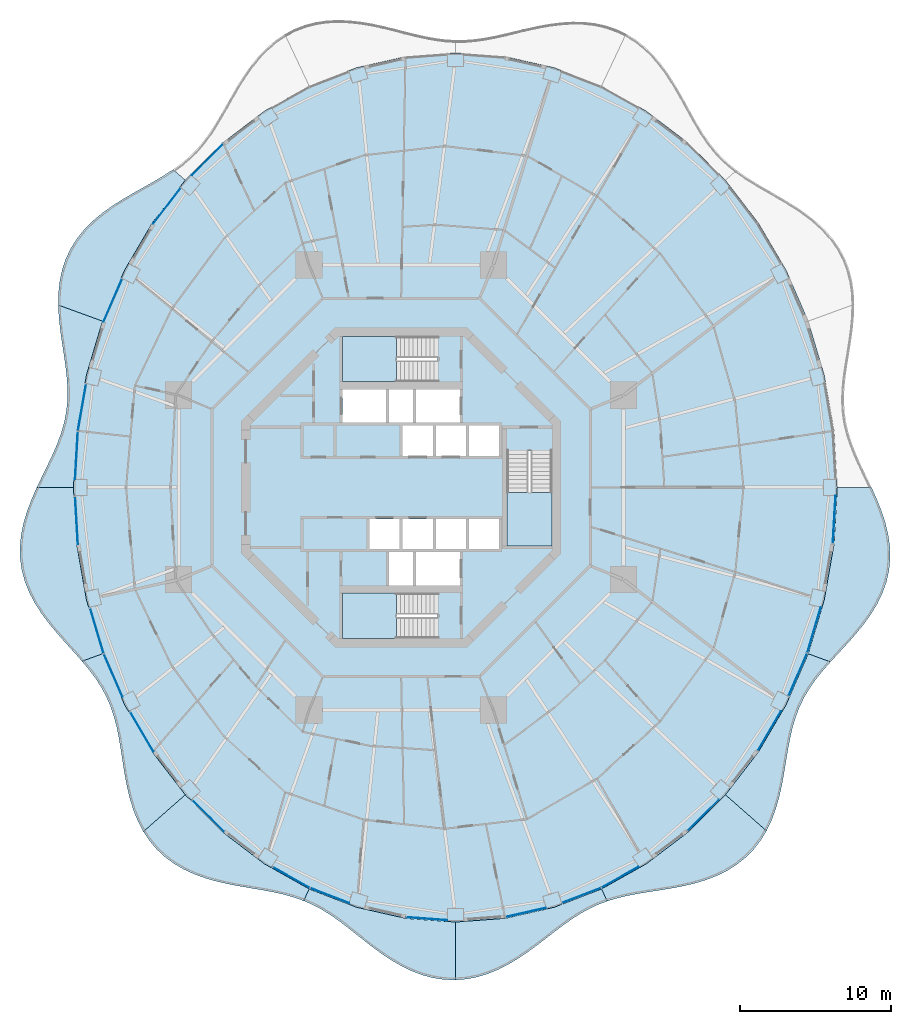
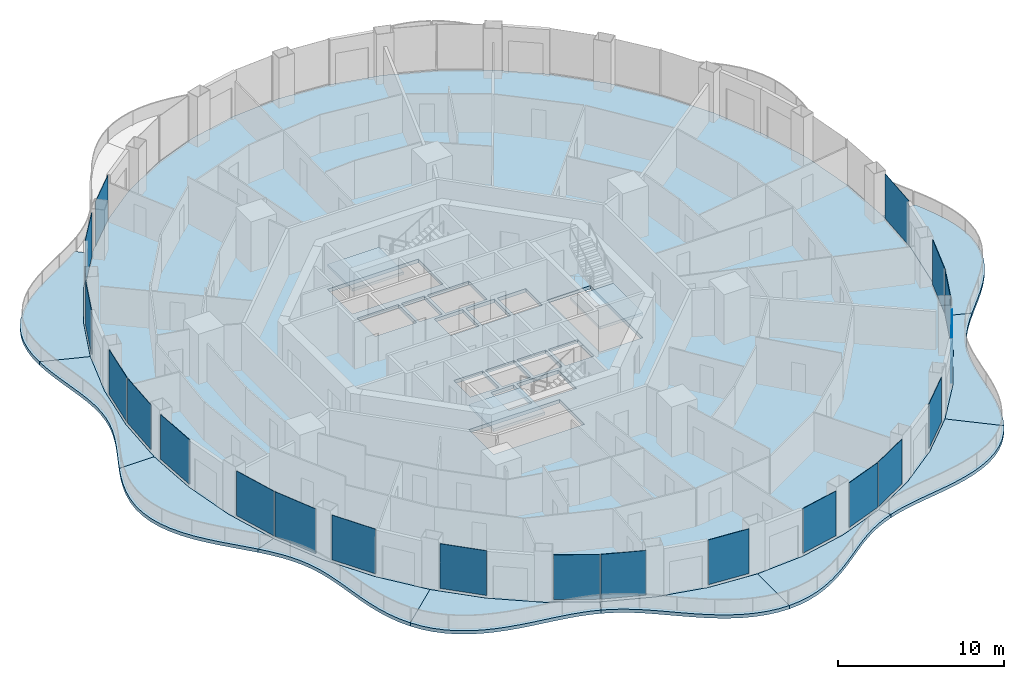
# One storey, part 9 of 19: 21 plates, 14 slabs, 24 elements without a shape of their own.
"""IFC4 building model written with IfcOpenShell, lengths in metres."""

from ifc_helpers import new_model, si_unit, direction, frame, origin, origin_2d, place, context, subcontext, project, spatial, polyline, rectangle, outline, extrude, material, layer, layer_set, type_object, element, aggregate, save


model = new_model("IFC4")

# Units and contexts
model_context = context("Model", 3, precision=1e-05, world=origin(), true_north=direction((0.0, 1.0)))
body_context = subcontext(model_context, "Body", "Model", "MODEL_VIEW")
ifc_project = project(units=[si_unit("LENGTHUNIT", "METRE"), si_unit("AREAUNIT", "SQUARE_METRE"), si_unit("VOLUMEUNIT", "CUBIC_METRE"), si_unit("PLANEANGLEUNIT", "RADIAN"), si_unit("MASSUNIT", "GRAM", prefix="KILO")], contexts=[model_context])

# Site, building, storey
site_placement = place(None, origin())
site = spatial("IfcSite", under=ifc_project, at=site_placement, CompositionType="ELEMENT")
building_placement = place(site_placement, origin())
building = spatial("IfcBuilding", under=site, at=building_placement, Name="Nagisa Residences", CompositionType="ELEMENT")
storey_placement = place(building_placement, frame((0.0, 0.0, 177.0)))
storey = spatial("IfcBuildingStorey", under=building, at=storey_placement, Name="L44", CompositionType="ELEMENT", Elevation=177.0)

# Slabs
ifc_material_1 = material(Name="Concrete C40/50", Category="concrete")
ifc_layer_1 = layer(ifc_material_1, 0.25)
ifc_layer_set_1 = layer_set([ifc_layer_1], Name="BALCONY SLAB 250")
slab_type_1 = type_object("IfcSlabType", Name="BALCONY SLAB 250", PredefinedType="FLOOR", material=ifc_layer_set_1)
slab_1_placement = place(storey_placement, frame((0.0, 0.0, -0.25)))
element("IfcSlab", 1, at=slab_1_placement, inside=storey, type_object=slab_type_1, Name="slab:L44:bal06", PredefinedType="FLOOR", context=body_context, shape_type="SweptSolid", body=[
    extrude(outline(polyline([(-15.146240234375, 21.123779296875), (-15.767578125, 20.718505859375), (-16.42431640625, 20.328369140625), (-17.108154296875, 19.9423828125), (-17.8076171875, 19.549560546875), (-18.509033203125, 19.138916015625), (-19.19775390625, 18.700927734375), (-19.858154296875, 18.2275390625), (-20.475830078125, 17.712646484375), (-21.036376953125, 17.152587890625), (-21.528564453125, 16.5458984375), (-21.94287109375, 15.893798828125), (-22.274169921875, 15.19921875), (-22.519775390625, 14.467529296875), (-22.681640625, 13.705078125), (-22.765380859375, 12.91943359375), (-22.780029296875, 12.118896484375), (-19.843505859375, 11.050048828125), (-18.37548828125, 14.4375), (-16.53125, 17.577880859375), (-14.3427734375, 20.417724609375), (-15.146240234375, 21.123779296875)])), origin(), (0.0, 0.0, 1.0), 0.25),
])
slab_2_placement = place(storey_placement, frame((0.0, 0.0, -0.25)))
element("IfcSlab", 2, at=slab_2_placement, inside=storey, type_object=slab_type_1, Name="slab:L44:bal07", PredefinedType="FLOOR", context=body_context, shape_type="SweptSolid", body=[
    extrude(outline(polyline([(-22.780029296875, 12.118896484375), (-22.7353515625, 11.28564453125), (-22.646240234375, 10.453369140625), (-22.530029296875, 9.629150390625), (-22.406005859375, 8.818603515625), (-22.29248046875, 8.02587890625), (-22.206298828125, 7.25244140625), (-22.162841796875, 6.498779296875), (-22.17333984375, 5.762939453125), (-22.245361328125, 5.04150390625), (-22.38232421875, 4.330322265625), (-22.583251953125, 3.6240234375), (-22.841796875, 2.91748046875), (-23.148193359375, 2.205322265625), (-23.48876953125, 1.483642578125), (-23.8466796875, 0.749267578125), (-24.20361328125, 0.0), (-21.77490234375, 0.0), (-21.557861328125, 3.76904296875), (-20.910400390625, 7.473388671875), (-19.843505859375, 11.050048828125), (-22.780029296875, 12.118896484375)])), origin(), (0.0, 0.0, 1.0), 0.25),
])
slab_3_placement = place(storey_placement, frame((0.0, 0.0, -0.25)))
element("IfcSlab", 3, at=slab_3_placement, inside=storey, type_object=slab_type_1, Name="slab:L44:bal08", PredefinedType="FLOOR", context=body_context, shape_type="SweptSolid", body=[
    extrude(outline(polyline([(-24.20361328125, 0.0), (-24.539794921875, -0.76416015625), (-24.836669921875, -1.54150390625), (-25.07568359375, -2.32958984375), (-25.2421875, -3.1240234375), (-25.3232421875, -3.91943359375), (-25.310791015625, -4.710205078125), (-25.201171875, -5.490234375), (-24.994873046875, -6.25390625), (-24.697265625, -6.9970703125), (-24.31787109375, -7.715576171875), (-23.86962890625, -8.408203125), (-23.368408203125, -9.074462890625), (-22.83251953125, -9.716796875), (-22.280517578125, -10.338623046875), (-21.73095703125, -10.945556640625), (-21.201171875, -11.544189453125), (-19.843505859375, -11.050048828125), (-20.910400390625, -7.473388671875), (-21.557861328125, -3.76904296875), (-21.77490234375, 0.0), (-24.20361328125, 0.0)])), origin(), (0.0, 0.0, 1.0), 0.25),
])
slab_4_placement = place(storey_placement, frame((0.0, 0.0, -0.25)))
element("IfcSlab", 4, at=slab_4_placement, inside=storey, type_object=slab_type_1, Name="slab:L44:bal09", PredefinedType="FLOOR", context=body_context, shape_type="SweptSolid", body=[
    extrude(outline(polyline([(-21.201171875, -11.544189453125), (-20.720703125, -12.1240234375), (-20.283935546875, -12.710693359375), (-19.898193359375, -13.3115234375), (-19.5673828125, -13.9326171875), (-19.29150390625, -14.579345703125), (-19.067138671875, -15.25537109375), (-18.88671875, -15.9619140625), (-18.740234375, -16.6982421875), (-18.614990234375, -17.46142578125), (-18.496337890625, -18.24560546875), (-18.369384765625, -19.04345703125), (-18.21875, -19.844970703125), (-18.030517578125, -20.6396484375), (-17.7919921875, -21.415283203125), (-17.492919921875, -22.160400390625), (-17.1259765625, -22.863525390625), (-14.3427734375, -20.417724609375), (-16.53125, -17.577880859375), (-18.37548828125, -14.4375), (-19.843505859375, -11.050048828125), (-21.201171875, -11.544189453125)])), origin(), (0.0, 0.0, 1.0), 0.25),
])
slab_5_placement = place(storey_placement, frame((0.0, 0.0, -0.25)))
element("IfcSlab", 5, at=slab_5_placement, inside=storey, type_object=slab_type_1, Name="slab:L44:bal10", PredefinedType="FLOOR", context=body_context, shape_type="SweptSolid", body=[
    extrude(outline(polyline([(-17.1259765625, -22.863525390625), (-16.70947265625, -23.48486328125), (-16.227294921875, -24.0517578125), (-15.681396484375, -24.558349609375), (-15.07666015625, -25.001708984375), (-14.420166015625, -25.3818359375), (-13.720458984375, -25.70068359375), (-12.988037109375, -25.962890625), (-12.2333984375, -26.17626953125), (-11.467529296875, -26.35009765625), (-10.700927734375, -26.49560546875), (-9.942626953125, -26.625), (-9.20068359375, -26.7509765625), (-8.480712890625, -26.886474609375), (-7.78662109375, -27.04296875), (-7.119384765625, -27.230712890625), (-6.478759765625, -27.457763671875), (-6.110595703125, -26.677001953125), (-9.08740234375, -25.006591796875), (-11.847412109375, -22.907958984375), (-14.3427734375, -20.417724609375), (-17.1259765625, -22.863525390625)])), origin(), (0.0, 0.0, 1.0), 0.25),
])
slab_6_placement = place(storey_placement, frame((0.0, 0.0, -0.25)))
element("IfcSlab", 6, at=slab_6_placement, inside=storey, type_object=slab_type_1, Name="slab:L44:bal11", PredefinedType="FLOOR", context=body_context, shape_type="SweptSolid", body=[
    extrude(outline(polyline([(-6.478759765625, -27.457763671875), (-5.88330078125, -27.718994140625), (-5.305419921875, -28.02392578125), (-4.740234375, -28.371826171875), (-4.18115234375, -28.75927734375), (-3.622314453125, -29.180419921875), (-3.056884765625, -29.626220703125), (-2.479248046875, -30.085693359375), (-1.884765625, -30.546630859375), (-1.269775390625, -30.995361328125), (-0.6318359375, -31.417724609375), (0.029296875, -31.800048828125), (0.712646484375, -32.129638671875), (1.416015625, -32.39453125), (2.135009765625, -32.585693359375), (2.864990234375, -32.696533203125), (3.60009765625, -32.722900390625), (3.60009765625, -28.875), (0.287841796875, -28.6279296875), (-2.967529296875, -27.89111328125), (-6.110595703125, -26.677001953125), (-6.478759765625, -27.457763671875)])), origin(), (0.0, 0.0, 1.0), 0.25),
])
slab_7_placement = place(storey_placement, frame((0.0, 0.0, -0.25)))
element("IfcSlab", 7, at=slab_7_placement, inside=storey, type_object=slab_type_1, Name="slab:L44:bal12", PredefinedType="FLOOR", context=body_context, shape_type="SweptSolid", body=[
    extrude(outline(polyline([(3.60009765625, -32.722900390625), (4.334228515625, -32.6640625), (5.061279296875, -32.5224609375), (5.7763671875, -32.30322265625), (6.47412109375, -32.01416015625), (7.15185546875, -31.666015625), (7.80712890625, -31.27099609375), (8.439453125, -30.84228515625), (9.05029296875, -30.394287109375), (9.64208984375, -29.9404296875), (10.218994140625, -29.494140625), (10.78662109375, -29.0673828125), (11.350341796875, -28.669921875), (11.916748046875, -28.309326171875), (12.491943359375, -27.99072265625), (13.081787109375, -27.7158203125), (13.69091796875, -27.484130859375), (13.310546875, -26.677001953125), (10.16748046875, -27.89111328125), (6.912109375, -28.6279296875), (3.60009765625, -28.875), (3.60009765625, -32.722900390625)])), origin(), (0.0, 0.0, 1.0), 0.25),
])
slab_8_placement = place(storey_placement, frame((0.0, 0.0, -0.25)))
element("IfcSlab", 8, at=slab_8_placement, inside=storey, type_object=slab_type_1, Name="slab:L44:bal13", PredefinedType="FLOOR", context=body_context, shape_type="SweptSolid", body=[
    extrude(outline(polyline([(13.69091796875, -27.484130859375), (14.34716796875, -27.285400390625), (15.02978515625, -27.123046875), (15.73876953125, -26.9873046875), (16.4716796875, -26.8671875), (17.22412109375, -26.75048828125), (17.9892578125, -26.62451171875), (18.759033203125, -26.476318359375), (19.523193359375, -26.2939453125), (20.271728515625, -26.06689453125), (20.9931640625, -25.786376953125), (21.677734375, -25.4462890625), (22.315185546875, -25.04296875), (22.89794921875, -24.5751953125), (23.420166015625, -24.044677734375), (23.877685546875, -23.45556640625), (24.269775390625, -22.814208984375), (21.542724609375, -20.417724609375), (19.04736328125, -22.907958984375), (16.28759765625, -25.006591796875), (13.310546875, -26.677001953125), (13.69091796875, -27.484130859375)])), origin(), (0.0, 0.0, 1.0), 0.25),
])
slab_9_placement = place(storey_placement, frame((0.0, 0.0, -0.25)))
element("IfcSlab", 9, at=slab_9_placement, inside=storey, type_object=slab_type_1, Name="slab:L44:bal14", PredefinedType="FLOOR", context=body_context, shape_type="SweptSolid", body=[
    extrude(outline(polyline([(24.269775390625, -22.814208984375), (24.61328125, -22.093994140625), (24.89208984375, -21.3359375), (25.114990234375, -20.55224609375), (25.293212890625, -19.754638671875), (25.43994140625, -18.955078125), (25.56982421875, -18.16357421875), (25.6982421875, -17.3896484375), (25.83984375, -16.6396484375), (26.00830078125, -15.91845703125), (26.215087890625, -15.22802734375), (26.4697265625, -14.568603515625), (26.77734375, -13.937255859375), (27.14013671875, -13.329833984375), (27.556396484375, -12.74072265625), (28.0205078125, -12.162841796875), (28.5234375, -11.588623046875), (27.04345703125, -11.050048828125), (25.575439453125, -14.4375), (23.7314453125, -17.577880859375), (21.542724609375, -20.417724609375), (24.269775390625, -22.814208984375)])), origin(), (0.0, 0.0, 1.0), 0.25),
])
slab_10_placement = place(storey_placement, frame((0.0, 0.0, -0.25)))
element("IfcSlab", 10, at=slab_10_placement, inside=storey, type_object=slab_type_1, Name="slab:L44:bal15", PredefinedType="FLOOR", context=body_context, shape_type="SweptSolid", body=[
    extrude(outline(polyline([(28.5234375, -11.588623046875), (29.070068359375, -10.99267578125), (29.629150390625, -10.38525390625), (30.1826171875, -9.76025390625), (30.711669921875, -9.112548828125), (31.19775390625, -8.439208984375), (31.6240234375, -7.73876953125), (31.975341796875, -7.01220703125), (32.240234375, -6.261962890625), (32.4111328125, -5.49169921875), (32.484619140625, -4.706787109375), (32.4619140625, -3.912841796875), (32.34912109375, -3.115966796875), (32.156005859375, -2.322021484375), (31.896484375, -1.53564453125), (31.587158203125, -0.7607421875), (31.24658203125, 0.0), (28.97509765625, 0.0), (28.7578125, -3.76904296875), (28.1103515625, -7.473388671875), (27.04345703125, -11.050048828125), (28.5234375, -11.588623046875)])), origin(), (0.0, 0.0, 1.0), 0.25),
])

# Curtain wall, plate
ifc_material_2 = material(Name="Concrete-coloured aluminium curtain wall system", Category="concrete")
ifc_layer_2 = layer(ifc_material_2, 0.159912109375)
ifc_layer_set_2 = layer_set([ifc_layer_2], Name="CW1 CURTAIN WALL")
curtain_wall_type = type_object("IfcCurtainWallType", Name="CW1 CURTAIN WALL", PredefinedType="NOTDEFINED", material=ifc_layer_set_2)
curtain_wall_1_placement = place(storey_placement, origin())
curtain_wall_1 = element("IfcCurtainWall", 11, at=curtain_wall_1_placement, inside=storey, type_object=curtain_wall_type, Name="cw:CW1:L44:17", PredefinedType="NOTDEFINED")
ifc_material_3 = material(Name="Clear laminated glass", Category="glass")
ifc_layer_3 = layer(ifc_material_3, 0.028076171875)
ifc_layer_set_3 = layer_set([ifc_layer_3], Name="CW1 GLASS PANEL")
plate_type = type_object("IfcPlateType", Name="CW1 GLASS PANEL", PredefinedType="CURTAIN_PANEL", material=ifc_layer_set_3)
plate_1_placement = place(storey_placement, frame((-12.865234375, 21.779296875, 0.14990234375), z_axis=(0.0, 0.0, 1.0), x_axis=(-0.707835924016, -0.706376885714, 0.0)))
plate_1 = element("IfcPlate", 12, at=plate_1_placement, type_object=plate_type, Name="CW1 panel", PredefinedType="CURTAIN_PANEL", context=body_context, shape_type="SweptSolid", body=[
    extrude(rectangle(XDim=2.91552734375, YDim=0.028076171875, at=origin_2d()), origin(), (0.0, 0.0, 1.0), 3.2900390625),
])
aggregate(curtain_wall_1, [plate_1])

curtain_wall_2_placement = place(storey_placement, origin())
curtain_wall_2 = element("IfcCurtainWall", 13, at=curtain_wall_2_placement, inside=storey, type_object=curtain_wall_type, Name="cw:CW1:L44:18", PredefinedType="NOTDEFINED")
plate_2_placement = place(storey_placement, frame((-15.559814453125, 18.70751953125, 0.14990234375), z_axis=(0.0, 0.0, 1.0), x_axis=(-0.610429828235, -0.792070340816, 0.0)))
plate_2 = element("IfcPlate", 14, at=plate_2_placement, type_object=plate_type, Name="CW1 panel", PredefinedType="CURTAIN_PANEL", context=body_context, shape_type="SweptSolid", body=[
    extrude(rectangle(XDim=2.97509765625, YDim=0.028076171875, at=origin_2d()), origin(), (0.0, 0.0, 1.0), 3.2900390625),
])
aggregate(curtain_wall_2, [plate_2])

curtain_wall_3_placement = place(storey_placement, origin())
curtain_wall_3 = element("IfcCurtainWall", 15, at=curtain_wall_3_placement, inside=storey, type_object=curtain_wall_type, Name="cw:CW1:L44:20", PredefinedType="NOTDEFINED")
plate_3_placement = place(storey_placement, frame((-19.1572265625, 12.43212890625, 0.14990234375), z_axis=(0.0, 0.0, 1.0), x_axis=(-0.397635934147, -0.917543276295, 0.0)))
plate_3 = element("IfcPlate", 16, at=plate_3_placement, type_object=plate_type, Name="CW1 panel", PredefinedType="CURTAIN_PANEL", context=body_context, shape_type="SweptSolid", body=[
    extrude(rectangle(XDim=3.08203125, YDim=0.028076171875, at=origin_2d()), origin(), (0.0, 0.0, 1.0), 3.2900390625),
])
aggregate(curtain_wall_3, [plate_3])

curtain_wall_4_placement = place(storey_placement, origin())
curtain_wall_4 = element("IfcCurtainWall", 17, at=curtain_wall_4_placement, inside=storey, type_object=curtain_wall_type, Name="cw:CW1:L44:22", PredefinedType="NOTDEFINED")
plate_4_placement = place(storey_placement, frame((-21.207763671875, 5.306884765625, 0.14990234375), z_axis=(0.0, 0.0, 1.0), x_axis=(-0.172190868898, -0.985063604377, 0.0)))
plate_4 = element("IfcPlate", 18, at=plate_4_placement, type_object=plate_type, Name="CW1 panel", PredefinedType="CURTAIN_PANEL", context=body_context, shape_type="SweptSolid", body=[
    extrude(rectangle(XDim=3.150634765625, YDim=0.028076171875, at=origin_2d()), origin(), (0.0, 0.0, 1.0), 3.2900390625),
])
aggregate(curtain_wall_4, [plate_4])

curtain_wall_5_placement = place(storey_placement, origin())
curtain_wall_5 = element("IfcCurtainWall", 19, at=curtain_wall_5_placement, inside=storey, type_object=curtain_wall_type, Name="cw:CW1:L44:23", PredefinedType="NOTDEFINED")
plate_5_placement = place(storey_placement, frame((-21.572509765625, 2.12451171875, 0.14990234375), z_axis=(0.0, 0.0, 1.0), x_axis=(-0.057503492216, -0.998345305184, 0.0)))
plate_5 = element("IfcPlate", 20, at=plate_5_placement, type_object=plate_type, Name="CW1 panel", PredefinedType="CURTAIN_PANEL", context=body_context, shape_type="SweptSolid", body=[
    extrude(rectangle(XDim=3.165283203125, YDim=0.028076171875, at=origin_2d()), origin(), (0.0, 0.0, 1.0), 3.2900390625),
])
aggregate(curtain_wall_5, [plate_5])

curtain_wall_6_placement = place(storey_placement, origin())
curtain_wall_6 = element("IfcCurtainWall", 21, at=curtain_wall_6_placement, inside=storey, type_object=curtain_wall_type, Name="cw:CW1:L44:24", PredefinedType="NOTDEFINED")
plate_6_placement = place(storey_placement, frame((-21.569091796875, -2.184326171875, 0.14990234375), z_axis=(0.0, 0.0, 1.0), x_axis=(0.057503492216, -0.998345305184, 0.0)))
plate_6 = element("IfcPlate", 22, at=plate_6_placement, type_object=plate_type, Name="CW1 panel", PredefinedType="CURTAIN_PANEL", context=body_context, shape_type="SweptSolid", body=[
    extrude(rectangle(XDim=3.165283203125, YDim=0.028076171875, at=origin_2d()), origin(), (0.0, 0.0, 1.0), 3.2900390625),
])
aggregate(curtain_wall_6, [plate_6])

curtain_wall_7_placement = place(storey_placement, origin())
curtain_wall_7 = element("IfcCurtainWall", 23, at=curtain_wall_7_placement, inside=storey, type_object=curtain_wall_type, Name="cw:CW1:L44:26", PredefinedType="NOTDEFINED")
plate_7_placement = place(storey_placement, frame((-20.213134765625, -9.531005859375, 0.14990234375), z_axis=(0.0, 0.0, 1.0), x_axis=(0.285860274038, -0.958271310082, 0.0)))
plate_7 = element("IfcPlate", 24, at=plate_7_placement, type_object=plate_type, Name="CW1 panel", PredefinedType="CURTAIN_PANEL", context=body_context, shape_type="SweptSolid", body=[
    extrude(rectangle(XDim=3.122314453125, YDim=0.028076171875, at=origin_2d()), origin(), (0.0, 0.0, 1.0), 3.2900390625),
])
aggregate(curtain_wall_7, [plate_7])

curtain_wall_8_placement = place(storey_placement, origin())
curtain_wall_8 = element("IfcCurtainWall", 25, at=curtain_wall_8_placement, inside=storey, type_object=curtain_wall_type, Name="cw:CW1:L44:27", PredefinedType="NOTDEFINED")
plate_8_placement = place(storey_placement, frame((-19.133544921875, -12.487060546875, 0.14990234375), z_axis=(0.0, 0.0, 1.0), x_axis=(0.397635934147, -0.917543276295, 0.0)))
plate_8 = element("IfcPlate", 26, at=plate_8_placement, type_object=plate_type, Name="CW1 panel", PredefinedType="CURTAIN_PANEL", context=body_context, shape_type="SweptSolid", body=[
    extrude(rectangle(XDim=3.08203125, YDim=0.028076171875, at=origin_2d()), origin(), (0.0, 0.0, 1.0), 3.2900390625),
])
aggregate(curtain_wall_8, [plate_8])

curtain_wall_9_placement = place(storey_placement, origin())
curtain_wall_9 = element("IfcCurtainWall", 27, at=curtain_wall_9_placement, inside=storey, type_object=curtain_wall_type, Name="cw:CW1:L44:28", PredefinedType="NOTDEFINED")
plate_9_placement = place(storey_placement, frame((-17.22998046875, -16.230224609375, 0.14990234375), z_axis=(0.0, 0.0, 1.0), x_axis=(0.506348567002, -0.862328898214, 0.0)))
plate_9 = element("IfcPlate", 28, at=plate_9_placement, type_object=plate_type, Name="CW1 panel", PredefinedType="CURTAIN_PANEL", context=body_context, shape_type="SweptSolid", body=[
    extrude(rectangle(XDim=3.031982421875, YDim=0.028076171875, at=origin_2d()), origin(), (0.0, 0.0, 1.0), 3.2900390625),
])
aggregate(curtain_wall_9, [plate_9])

curtain_wall_10_placement = place(storey_placement, origin())
curtain_wall_10 = element("IfcCurtainWall", 29, at=curtain_wall_10_placement, inside=storey, type_object=curtain_wall_type, Name="cw:CW1:L44:30", PredefinedType="NOTDEFINED")
plate_10_placement = place(storey_placement, frame((-12.82275390625, -21.82177734375, 0.14990234375), z_axis=(0.0, 0.0, 1.0), x_axis=(0.707835924016, -0.706376885714, 0.0)))
plate_10 = element("IfcPlate", 30, at=plate_10_placement, type_object=plate_type, Name="CW1 panel", PredefinedType="CURTAIN_PANEL", context=body_context, shape_type="SweptSolid", body=[
    extrude(rectangle(XDim=2.91552734375, YDim=0.028076171875, at=origin_2d()), origin(), (0.0, 0.0, 1.0), 3.2900390625),
])
aggregate(curtain_wall_10, [plate_10])

curtain_wall_11_placement = place(storey_placement, origin())
curtain_wall_11 = element("IfcCurtainWall", 31, at=curtain_wall_11_placement, inside=storey, type_object=curtain_wall_type, Name="cw:CW1:L44:32", PredefinedType="NOTDEFINED")
plate_11_placement = place(storey_placement, frame((-7.2939453125, -25.921142578125, 0.14990234375), z_axis=(0.0, 0.0, 1.0), x_axis=(0.872072377523, -0.489376918501, 0.0)))
plate_11 = element("IfcPlate", 32, at=plate_11_placement, type_object=plate_type, Name="CW1 panel", PredefinedType="CURTAIN_PANEL", context=body_context, shape_type="SweptSolid", body=[
    extrude(rectangle(XDim=2.8037109375, YDim=0.028076171875, at=origin_2d()), origin(), (0.0, 0.0, 1.0), 3.2900390625),
])
aggregate(curtain_wall_11, [plate_11])

curtain_wall_12_placement = place(storey_placement, origin())
curtain_wall_12 = element("IfcCurtainWall", 33, at=curtain_wall_12_placement, inside=storey, type_object=curtain_wall_type, Name="cw:CW1:L44:33", PredefinedType="NOTDEFINED")
plate_12_placement = place(storey_placement, frame((-4.73876953125, -27.12109375, 0.14990234375), z_axis=(0.0, 0.0, 1.0), x_axis=(0.932825759707, -0.360327770268, 0.0)))
plate_12 = element("IfcPlate", 34, at=plate_12_placement, type_object=plate_type, Name="CW1 panel", PredefinedType="CURTAIN_PANEL", context=body_context, shape_type="SweptSolid", body=[
    extrude(rectangle(XDim=2.75927734375, YDim=0.028076171875, at=origin_2d()), origin(), (0.0, 0.0, 1.0), 3.2900390625),
])
aggregate(curtain_wall_12, [plate_12])

curtain_wall_13_placement = place(storey_placement, origin())
curtain_wall_13 = element("IfcCurtainWall", 35, at=curtain_wall_13_placement, inside=storey, type_object=curtain_wall_type, Name="cw:CW1:L44:35", PredefinedType="NOTDEFINED")
plate_13_placement = place(storey_placement, frame((1.70556640625, -28.653564453125, 0.14990234375), z_axis=(0.0, 0.0, 1.0), x_axis=(0.997230168512, -0.074377355493, 0.0)))
plate_13 = element("IfcPlate", 36, at=plate_13_placement, type_object=plate_type, Name="CW1 panel", PredefinedType="CURTAIN_PANEL", context=body_context, shape_type="SweptSolid", body=[
    extrude(rectangle(XDim=2.711181640625, YDim=0.028076171875, at=origin_2d()), origin(), (0.0, 0.0, 1.0), 3.2900390625),
])
aggregate(curtain_wall_13, [plate_13])

curtain_wall_14_placement = place(storey_placement, origin())
curtain_wall_14 = element("IfcCurtainWall", 37, at=curtain_wall_14_placement, inside=storey, type_object=curtain_wall_type, Name="cw:CW1:L44:37", PredefinedType="NOTDEFINED")
plate_14_placement = place(storey_placement, frame((8.283203125, -28.235595703125, 0.14990234375), z_axis=(0.0, 0.0, 1.0), x_axis=(0.975327274089, 0.2207639201, 0.0)))
plate_14 = element("IfcPlate", 38, at=plate_14_placement, type_object=plate_type, Name="CW1 panel", PredefinedType="CURTAIN_PANEL", context=body_context, shape_type="SweptSolid", body=[
    extrude(rectangle(XDim=2.727783203125, YDim=0.028076171875, at=origin_2d()), origin(), (0.0, 0.0, 1.0), 3.2900390625),
])
aggregate(curtain_wall_14, [plate_14])

curtain_wall_15_placement = place(storey_placement, origin())
curtain_wall_15 = element("IfcCurtainWall", 39, at=curtain_wall_15_placement, inside=storey, type_object=curtain_wall_type, Name="cw:CW1:L44:38", PredefinedType="NOTDEFINED")
plate_15_placement = place(storey_placement, frame((11.99462890625, -27.099609375, 0.14990234375), z_axis=(0.0, 0.0, 1.0), x_axis=(0.932825759707, 0.360327770268, 0.0)))
plate_15 = element("IfcPlate", 40, at=plate_15_placement, type_object=plate_type, Name="CW1 panel", PredefinedType="CURTAIN_PANEL", context=body_context, shape_type="SweptSolid", body=[
    extrude(rectangle(XDim=2.75927734375, YDim=0.028076171875, at=origin_2d()), origin(), (0.0, 0.0, 1.0), 3.2900390625),
])
aggregate(curtain_wall_15, [plate_15])

curtain_wall_16_placement = place(storey_placement, origin())
curtain_wall_16 = element("IfcCurtainWall", 41, at=curtain_wall_16_placement, inside=storey, type_object=curtain_wall_type, Name="cw:CW1:L44:39", PredefinedType="NOTDEFINED")
plate_16_placement = place(storey_placement, frame((14.546142578125, -25.891845703125, 0.14990234375), z_axis=(0.0, 0.0, 1.0), x_axis=(0.872072377523, 0.489376918501, 0.0)))
plate_16 = element("IfcPlate", 42, at=plate_16_placement, type_object=plate_type, Name="CW1 panel", PredefinedType="CURTAIN_PANEL", context=body_context, shape_type="SweptSolid", body=[
    extrude(rectangle(XDim=2.8037109375, YDim=0.028076171875, at=origin_2d()), origin(), (0.0, 0.0, 1.0), 3.2900390625),
])
aggregate(curtain_wall_16, [plate_16])

curtain_wall_17_placement = place(storey_placement, origin())
curtain_wall_17 = element("IfcCurtainWall", 43, at=curtain_wall_17_placement, inside=storey, type_object=curtain_wall_type, Name="cw:CW1:L44:41", PredefinedType="NOTDEFINED")
plate_17_placement = place(storey_placement, frame((20.065185546875, -21.779296875, 0.14990234375), z_axis=(0.0, 0.0, 1.0), x_axis=(0.707835924016, 0.706376885714, 0.0)))
plate_17 = element("IfcPlate", 44, at=plate_17_placement, type_object=plate_type, Name="CW1 panel", PredefinedType="CURTAIN_PANEL", context=body_context, shape_type="SweptSolid", body=[
    extrude(rectangle(XDim=2.91552734375, YDim=0.028076171875, at=origin_2d()), origin(), (0.0, 0.0, 1.0), 3.2900390625),
])
aggregate(curtain_wall_17, [plate_17])

curtain_wall_18_placement = place(storey_placement, origin())
curtain_wall_18 = element("IfcCurtainWall", 45, at=curtain_wall_18_placement, inside=storey, type_object=curtain_wall_type, Name="cw:CW1:L44:43", PredefinedType="NOTDEFINED")
plate_18_placement = place(storey_placement, frame((24.460205078125, -16.178466796875, 0.14990234375), z_axis=(0.0, 0.0, 1.0), x_axis=(0.506348567002, 0.862328898214, 0.0)))
plate_18 = element("IfcPlate", 46, at=plate_18_placement, type_object=plate_type, Name="CW1 panel", PredefinedType="CURTAIN_PANEL", context=body_context, shape_type="SweptSolid", body=[
    extrude(rectangle(XDim=3.031982421875, YDim=0.028076171875, at=origin_2d()), origin(), (0.0, 0.0, 1.0), 3.2900390625),
])
aggregate(curtain_wall_18, [plate_18])

curtain_wall_19_placement = place(storey_placement, origin())
curtain_wall_19 = element("IfcCurtainWall", 47, at=curtain_wall_19_placement, inside=storey, type_object=curtain_wall_type, Name="cw:CW1:L44:44", PredefinedType="NOTDEFINED")
plate_19_placement = place(storey_placement, frame((26.357177734375, -12.43212890625, 0.14990234375), z_axis=(0.0, 0.0, 1.0), x_axis=(0.397635934147, 0.917543276295, 0.0)))
plate_19 = element("IfcPlate", 48, at=plate_19_placement, type_object=plate_type, Name="CW1 panel", PredefinedType="CURTAIN_PANEL", context=body_context, shape_type="SweptSolid", body=[
    extrude(rectangle(XDim=3.08203125, YDim=0.028076171875, at=origin_2d()), origin(), (0.0, 0.0, 1.0), 3.2900390625),
])
aggregate(curtain_wall_19, [plate_19])

curtain_wall_20_placement = place(storey_placement, origin())
curtain_wall_20 = element("IfcCurtainWall", 49, at=curtain_wall_20_placement, inside=storey, type_object=curtain_wall_type, Name="cw:CW1:L44:45", PredefinedType="NOTDEFINED")
plate_20_placement = place(storey_placement, frame((27.43017578125, -9.4736328125, 0.14990234375), z_axis=(0.0, 0.0, 1.0), x_axis=(0.285860274038, 0.958271310082, 0.0)))
plate_20 = element("IfcPlate", 50, at=plate_20_placement, type_object=plate_type, Name="CW1 panel", PredefinedType="CURTAIN_PANEL", context=body_context, shape_type="SweptSolid", body=[
    extrude(rectangle(XDim=3.122314453125, YDim=0.028076171875, at=origin_2d()), origin(), (0.0, 0.0, 1.0), 3.2900390625),
])
aggregate(curtain_wall_20, [plate_20])

curtain_wall_21_placement = place(storey_placement, origin())
curtain_wall_21 = element("IfcCurtainWall", 51, at=curtain_wall_21_placement, inside=storey, type_object=curtain_wall_type, Name="cw:CW1:L44:47", PredefinedType="NOTDEFINED")
plate_21_placement = place(storey_placement, frame((28.7724609375, -2.12451171875, 0.14990234375), z_axis=(0.0, 0.0, 1.0), x_axis=(0.057503492216, 0.998345305184, 0.0)))
plate_21 = element("IfcPlate", 52, at=plate_21_placement, type_object=plate_type, Name="CW1 panel", PredefinedType="CURTAIN_PANEL", context=body_context, shape_type="SweptSolid", body=[
    extrude(rectangle(XDim=3.165283203125, YDim=0.028076171875, at=origin_2d()), origin(), (0.0, 0.0, 1.0), 3.2900390625),
])
aggregate(curtain_wall_21, [plate_21])

# Slab
ifc_material_4 = material(Name="Concrete C40", Category="concrete")
ifc_layer_4 = layer(ifc_material_4, 0.260009765625)
ifc_layer_set_4 = layer_set([ifc_layer_4], Name="Floor slab 260")
slab_type_2 = type_object("IfcSlabType", Name="Floor slab 260", PredefinedType="FLOOR", material=ifc_layer_set_4)
slab_11_placement = place(storey_placement, frame((0.0, 0.0, -0.260009765625)))
element("IfcSlab", 53, at=slab_11_placement, inside=storey, type_object=slab_type_2, Name="slab:L44:floor", PredefinedType="FLOOR", context=body_context, shape_type="SweptSolid", body=[
    extrude(outline(polyline([(28.97509765625, 0.0), (28.7578125, 3.76904296875), (28.1103515625, 7.473388671875), (27.04345703125, 11.050048828125), (25.575439453125, 14.4375), (23.7314453125, 17.577880859375), (21.542724609375, 20.417724609375), (19.04736328125, 22.907958984375), (16.28759765625, 25.006591796875), (13.310546875, 26.677001953125), (10.16748046875, 27.89111328125), (6.912109375, 28.6279296875), (3.60009765625, 28.875), (0.287841796875, 28.6279296875), (-2.967529296875, 27.89111328125), (-6.110595703125, 26.677001953125), (-9.08740234375, 25.006591796875), (-11.847412109375, 22.907958984375), (-14.3427734375, 20.417724609375), (-16.53125, 17.577880859375), (-18.37548828125, 14.4375), (-19.843505859375, 11.050048828125), (-20.910400390625, 7.473388671875), (-21.557861328125, 3.76904296875), (-21.77490234375, 0.0), (-21.557861328125, -3.76904296875), (-20.910400390625, -7.473388671875), (-19.843505859375, -11.050048828125), (-18.37548828125, -14.4375), (-16.53125, -17.577880859375), (-14.3427734375, -20.417724609375), (-11.847412109375, -22.907958984375), (-9.08740234375, -25.006591796875), (-6.110595703125, -26.677001953125), (-2.967529296875, -27.89111328125), (0.287841796875, -28.6279296875), (3.60009765625, -28.875), (6.912109375, -28.6279296875), (10.16748046875, -27.89111328125), (13.310546875, -26.677001953125), (16.28759765625, -25.006591796875), (19.04736328125, -22.907958984375), (21.542724609375, -20.417724609375), (23.7314453125, -17.577880859375), (25.575439453125, -14.4375), (27.04345703125, -11.050048828125), (28.1103515625, -7.473388671875), (28.7578125, -3.76904296875), (28.97509765625, 0.0)]), holes=[polyline([(2.10009765625, 2.10009765625), (2.10009765625, 4.10009765625), (0.10009765625, 4.10009765625), (0.10009765625, 2.10009765625), (2.10009765625, 2.10009765625)]), polyline([(4.300048828125, 2.10009765625), (4.300048828125, 4.10009765625), (2.300048828125, 4.10009765625), (2.300048828125, 2.10009765625), (4.300048828125, 2.10009765625)]), polyline([(6.5, 2.10009765625), (6.5, 4.10009765625), (4.5, 4.10009765625), (4.5, 2.10009765625), (6.5, 2.10009765625)]), polyline([(-0.10009765625, -4.10009765625), (-0.10009765625, -2.10009765625), (-2.10009765625, -2.10009765625), (-2.10009765625, -4.10009765625), (-0.10009765625, -4.10009765625)]), polyline([(2.10009765625, -4.10009765625), (2.10009765625, -2.10009765625), (0.10009765625, -2.10009765625), (0.10009765625, -4.10009765625), (2.10009765625, -4.10009765625)]), polyline([(4.300048828125, -4.10009765625), (4.300048828125, -2.10009765625), (2.300048828125, -2.10009765625), (2.300048828125, -4.10009765625), (4.300048828125, -4.10009765625)]), polyline([(6.5, -4.10009765625), (6.5, -2.10009765625), (4.5, -2.10009765625), (4.5, -4.10009765625), (6.5, -4.10009765625)]), polyline([(3.89990234375, 4.300048828125), (3.89990234375, 6.5), (1.0, 6.5), (1.0, 4.300048828125), (3.89990234375, 4.300048828125)]), polyline([(3.89990234375, -6.5), (3.89990234375, -4.300048828125), (1.0, -4.300048828125), (1.0, -6.5), (3.89990234375, -6.5)]), polyline([(-1.0, 4.300048828125), (-1.0, 6.5), (-3.89990234375, 6.5), (-3.89990234375, 4.300048828125), (-1.0, 4.300048828125)]), polyline([(0.800048828125, 4.300048828125), (0.800048828125, 6.5), (-0.800048828125, 6.5), (-0.800048828125, 4.300048828125), (0.800048828125, 4.300048828125)]), polyline([(0.800048828125, -6.5), (0.800048828125, -4.300048828125), (-0.800048828125, -4.300048828125), (-0.800048828125, -6.5), (0.800048828125, -6.5)]), polyline([(10.024658203125, -3.89990234375), (7.024658203125, -3.89990234375), (7.024658203125, 2.425048828125), (10.024658203125, 2.425048828125), (10.024658203125, -3.89990234375)]), polyline([(-3.89990234375, 7.024658203125), (-3.89990234375, 10.024658203125), (2.425048828125, 10.024658203125), (2.425048828125, 7.024658203125), (-3.89990234375, 7.024658203125)]), polyline([(-3.89990234375, -10.024658203125), (-3.89990234375, -7.024658203125), (2.425048828125, -7.024658203125), (2.425048828125, -10.024658203125), (-3.89990234375, -10.024658203125)])]), origin(), (0.0, 0.0, 1.0), 0.260009765625),
])

# Stair, slab
ifc_material_5 = material(Name="Concrete C60", Category="concrete")
stair_type = type_object("IfcStairType", Name="Exit stair", PredefinedType="HALF_TURN_STAIR", material=ifc_material_5)
stair_1_placement = place(storey_placement, origin())
stair_1 = element("IfcStair", 54, at=stair_1_placement, inside=storey, type_object=stair_type, Name="L44 Exit stair E", PredefinedType="HALF_TURN_STAIR")
ifc_material_6 = material(Name="Concrete C60", Category="concrete")
ifc_layer_5 = layer(ifc_material_6, 0.199951171875)
ifc_layer_set_5 = layer_set([ifc_layer_5], Name="Stair landing")
slab_type_3 = type_object("IfcSlabType", Name="Stair landing", PredefinedType="LANDING", material=ifc_layer_set_5)
slab_12_placement = place(storey_placement, frame((0.0, 0.0, 1.64990234375)))
slab_12 = element("IfcSlab", 55, at=slab_12_placement, type_object=slab_type_3, Name="ST-E landing 1", PredefinedType="LANDING", context=body_context, shape_type="SweptSolid", body=[
    extrude(outline(polyline([(7.024658203125, -0.324951171875), (7.024658203125, -3.89990234375), (10.024658203125, -3.89990234375), (10.024658203125, -0.324951171875), (7.024658203125, -0.324951171875)])), origin(), (0.0, 0.0, 1.0), 0.2001953125),
])
aggregate(stair_1, [slab_12])

stair_2_placement = place(storey_placement, origin())
stair_2 = element("IfcStair", 56, at=stair_2_placement, inside=storey, type_object=stair_type, Name="L44 Exit stair N", PredefinedType="HALF_TURN_STAIR")
slab_13_placement = place(storey_placement, frame((0.0, 0.0, 1.64990234375)))
slab_13 = element("IfcSlab", 57, at=slab_13_placement, type_object=slab_type_3, Name="ST-N landing 1", PredefinedType="LANDING", context=body_context, shape_type="SweptSolid", body=[
    extrude(outline(polyline([(-0.324951171875, 10.024658203125), (-3.89990234375, 10.024658203125), (-3.89990234375, 7.024658203125), (-0.324951171875, 7.024658203125), (-0.324951171875, 10.024658203125)])), origin(), (0.0, 0.0, 1.0), 0.2001953125),
])
aggregate(stair_2, [slab_13])

stair_3_placement = place(storey_placement, origin())
stair_3 = element("IfcStair", 58, at=stair_3_placement, inside=storey, type_object=stair_type, Name="L44 Exit stair S", PredefinedType="HALF_TURN_STAIR")
slab_14_placement = place(storey_placement, frame((0.0, 0.0, 1.64990234375)))
slab_14 = element("IfcSlab", 59, at=slab_14_placement, type_object=slab_type_3, Name="ST-S landing 1", PredefinedType="LANDING", context=body_context, shape_type="SweptSolid", body=[
    extrude(outline(polyline([(-0.324951171875, -7.024658203125), (-3.89990234375, -7.024658203125), (-3.89990234375, -10.024658203125), (-0.324951171875, -10.024658203125), (-0.324951171875, -7.024658203125)])), origin(), (0.0, 0.0, 1.0), 0.2001953125),
])
aggregate(stair_3, [slab_14])

save(model, "model.ifc")
